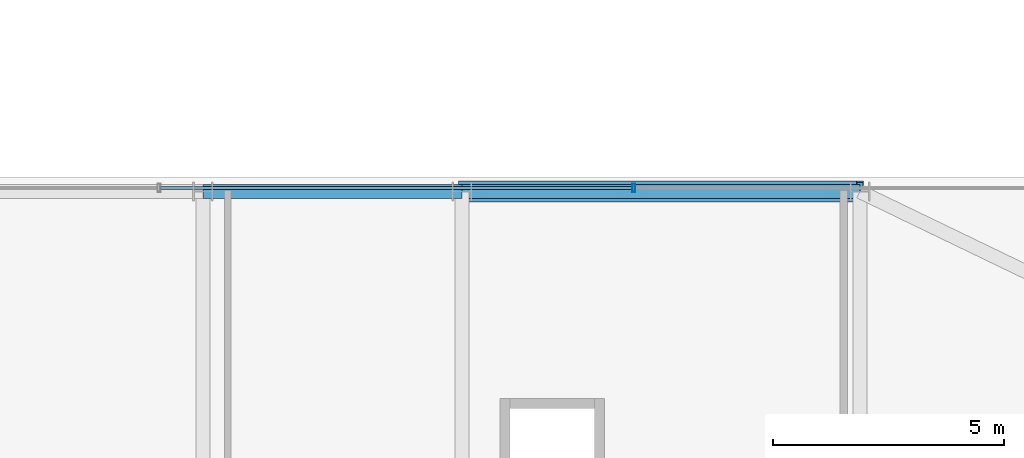
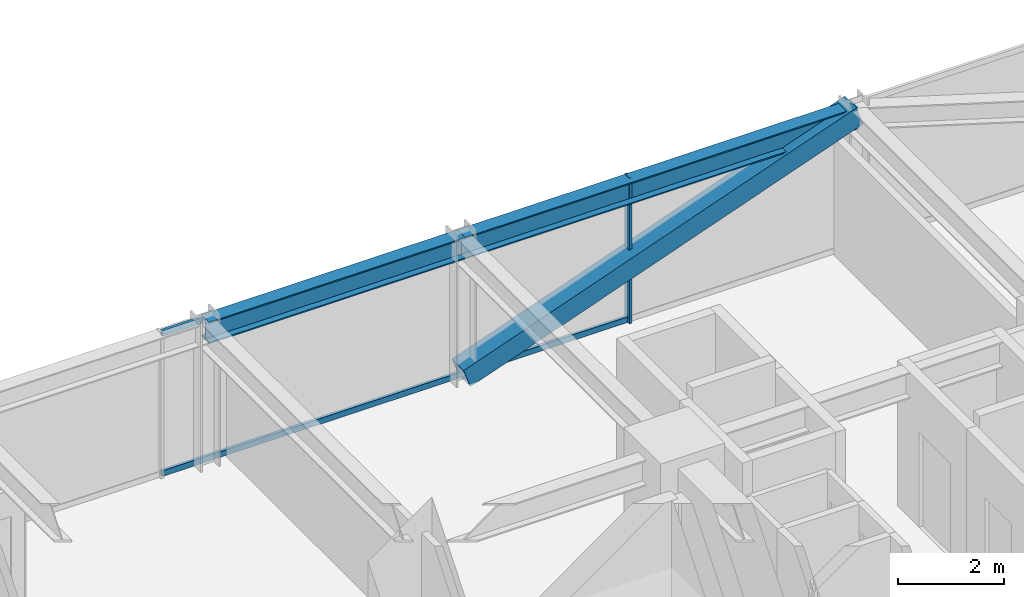
# One storey, part 26 of 36: 4 members, 2 beams, 1 element without a shape of its own.
"""IFC4 building model written with IfcOpenShell, lengths in metres."""

from ifc_helpers import new_model, si_unit, direction, frame, origin, origin_2d, place, context, subcontext, project, spatial, hollow_rectangle, i_section, extrude, source, transform, mapped, material, material_profile, profile_set, type_object, element, aggregate, save


model = new_model("IFC4")

# Units and contexts
model_context = context("Model", 3, precision=1e-05, world=origin(), true_north=direction((0.0, 1.0)))
body_context = subcontext(model_context, "Body", "Model", "MODEL_VIEW")
ifc_project = project(units=[si_unit("LENGTHUNIT", "METRE"), si_unit("AREAUNIT", "SQUARE_METRE"), si_unit("VOLUMEUNIT", "CUBIC_METRE"), si_unit("PLANEANGLEUNIT", "RADIAN"), si_unit("MASSUNIT", "GRAM", prefix="KILO")], contexts=[model_context])

# Site, building, storey
site_placement = place(None, origin())
site = spatial("IfcSite", under=ifc_project, at=site_placement, CompositionType="ELEMENT")
building_placement = place(site_placement, origin())
building = spatial("IfcBuilding", under=site, at=building_placement, Name="Nahalor Promenade Grand Hotel", CompositionType="ELEMENT")
storey_placement = place(building_placement, frame((0.0, 0.0, 76.199951171875)))
storey = spatial("IfcBuildingStorey", under=building, at=storey_placement, Name="L18", CompositionType="ELEMENT", Elevation=76.199951171875)

# Beams
ifc_material_1 = material(Name="Steel S355JR", Category="steel")
ifc_material_profile_1 = material_profile(ifc_material_1, i_section(OverallWidth=0.3, OverallDepth=0.5, WebThickness=0.0145, FlangeThickness=0.028, at=origin_2d()), Name="HEB 500")
ifc_profile_set_1 = profile_set([ifc_material_profile_1], Name="Steel S355JR")
beam_type = type_object("IfcBeamType", Name="Beam-Spandrel-HEB500", PredefinedType="SPANDREL", material=ifc_profile_set_1)
shared_shape_1 = source(origin(), body_context, "Body", "SweptSolid", [
    extrude(i_section(OverallWidth=0.3, OverallDepth=0.5, WebThickness=0.0145, FlangeThickness=0.028, at=origin_2d()), origin(), (0.0, 0.0, 1.0), 8.60009765625),
])
beam_1_placement = place(storey_placement, frame((8.39990234375, 25.080078125, 3.1201171875), z_axis=(1.0, 0.0, 0.0), x_axis=(0.0, 1.0, 0.0)))
element("IfcBeam", 1, at=beam_1_placement, inside=storey, type_object=beam_type, Name="BM-L18-SP-N-4", PredefinedType="SPANDREL", context=body_context, shape_type="MappedRepresentation", body=[
    mapped(shared_shape_1, transform((0.0, 0.0, 0.0), scale=1.0)),
])
shared_shape_2 = source(origin(), body_context, "Body", "SweptSolid", [
    extrude(i_section(OverallWidth=0.3, OverallDepth=0.5, WebThickness=0.0145, FlangeThickness=0.028, at=origin_2d()), origin(), (0.0, 0.0, 1.0), 5.599853515625),
])
beam_2_placement = place(storey_placement, frame((2.800048828125, 25.080078125, 3.1201171875), z_axis=(1.0, 0.0, 0.0), x_axis=(0.0, 1.0, 0.0)))
element("IfcBeam", 2, at=beam_2_placement, inside=storey, type_object=beam_type, Name="BM-L18-SP-N-3", PredefinedType="SPANDREL", context=body_context, shape_type="MappedRepresentation", body=[
    mapped(shared_shape_2, transform((0.0, 0.0, 0.0), scale=1.0)),
])

# Member
ifc_material_2 = material(Name="Steel S355J2", Category="steel")
ifc_material_profile_2 = material_profile(ifc_material_2, hollow_rectangle(XDim=0.45, YDim=0.45, WallThickness=0.025, at=origin_2d()), Name="SHS 450x450x25")
ifc_profile_set_2 = profile_set([ifc_material_profile_2], Name="Steel S355J2")
member_type_1 = type_object("IfcMemberType", Name="Mem-ExoBrace-SHS450", PredefinedType="BRACE", material=ifc_profile_set_2)
shared_shape_3 = source(origin(), body_context, "Body", "SweptSolid", [
    extrude(hollow_rectangle(XDim=0.45, YDim=0.45, WallThickness=0.025, at=origin_2d()), origin(), (0.0, 0.0, 1.0), 9.131591796875),
])
member_1_placement = place(storey_placement, frame((8.39990234375, 25.080078125, 0.150146484375), z_axis=(0.941798757288, 0.0, 0.336177186571), x_axis=(0.0, 1.0, 0.0)))
element("IfcMember", 3, at=member_1_placement, inside=storey, type_object=member_type_1, Name="EXO-L18-N-1", PredefinedType="BRACE", context=body_context, shape_type="MappedRepresentation", body=[
    mapped(shared_shape_3, transform((0.0, 0.0, 0.0), scale=1.0)),
])

# Curtain wall, members
ifc_material_3 = material(Name="Anodised Bronze Aluminium EN AW-6063 T6", Category="aluminium")
curtain_wall_type = type_object("IfcCurtainWallType", Name="CW2 Typical Hotel Flush Bronze Unitised Curtain Wall", PredefinedType="USERDEFINED", material=ifc_material_3)
curtain_wall_placement = place(storey_placement, origin())
curtain_wall = element("IfcCurtainWall", 4, at=curtain_wall_placement, inside=storey, type_object=curtain_wall_type, Name="L18 Curtain Wall CW-L18-N-3", ObjectType="UNITISED_CURTAIN_WALL", PredefinedType="USERDEFINED")
ifc_material_profile_3 = material_profile(ifc_material_3, hollow_rectangle(XDim=0.065, YDim=0.18, WallThickness=0.004, at=origin_2d()), Name="CWM 65x180x4")
ifc_profile_set_3 = profile_set([ifc_material_profile_3], Name="Anodised Bronze Aluminium EN AW-6063 T6")
member_type_2 = type_object("IfcMemberType", Name="CWM2 Typical Bronze Mullion 65x180", PredefinedType="MULLION", material=ifc_profile_set_3)
shared_shape_4 = source(origin(), body_context, "Body", "SweptSolid", [
    extrude(hollow_rectangle(XDim=0.065, YDim=0.18, WallThickness=0.004, at=origin_2d()), origin(), (0.0, 0.0, 1.0), 3.3701171875),
])
member_2_placement = place(storey_placement, frame((12.106689453125, 25.159912109375, 0.0), z_axis=(0.0, 0.0, 1.0), x_axis=(1.0, 0.0, 0.0)))
member_2 = element("IfcMember", 5, at=member_2_placement, type_object=member_type_2, Name="CW-L18-N-3 Mullion 2", PredefinedType="MULLION", context=body_context, shape_type="MappedRepresentation", body=[
    mapped(shared_shape_4, transform((0.0, 0.0, 0.0), scale=1.0)),
])
ifc_material_profile_4 = material_profile(ifc_material_3, hollow_rectangle(XDim=0.065, YDim=0.13, WallThickness=0.004, at=origin_2d()), Name="CWT 65x130x4")
ifc_profile_set_4 = profile_set([ifc_material_profile_4], Name="Anodised Bronze Aluminium EN AW-6063 T6")
member_type_3 = type_object("IfcMemberType", Name="CWT2 Typical Bronze Transom 65x130", PredefinedType="USERDEFINED", material=ifc_profile_set_4)
shared_shape_5 = source(origin(), body_context, "Body", "SweptSolid", [
    extrude(hollow_rectangle(XDim=0.065, YDim=0.13, WallThickness=0.004, at=origin_2d()), origin(), (0.0, 0.0, 1.0), 10.1884765625),
])
member_3_placement = place(storey_placement, frame((1.8857421875, 25.159912109375, 0.06494140625), z_axis=(1.0, 0.0, 0.0), x_axis=(0.0, 1.0, 0.0)))
member_3 = element("IfcMember", 6, at=member_3_placement, type_object=member_type_3, Name="CW-L18-N-3 Transom 1-0", ObjectType="TRANSOM", PredefinedType="USERDEFINED", context=body_context, shape_type="MappedRepresentation", body=[
    mapped(shared_shape_5, transform((0.0, 0.0, 0.0), scale=1.0)),
])
member_4_placement = place(storey_placement, frame((1.8857421875, 25.159912109375, 3.304931640625), z_axis=(1.0, 0.0, 0.0), x_axis=(0.0, 1.0, 0.0)))
member_4 = element("IfcMember", 7, at=member_4_placement, type_object=member_type_3, Name="CW-L18-N-3 Transom 1-1", ObjectType="TRANSOM", PredefinedType="USERDEFINED", context=body_context, shape_type="MappedRepresentation", body=[
    mapped(shared_shape_5, transform((0.0, 0.0, 0.0), scale=1.0)),
])
aggregate(curtain_wall, [member_2, member_3, member_4])

save(model, "model.ifc")
